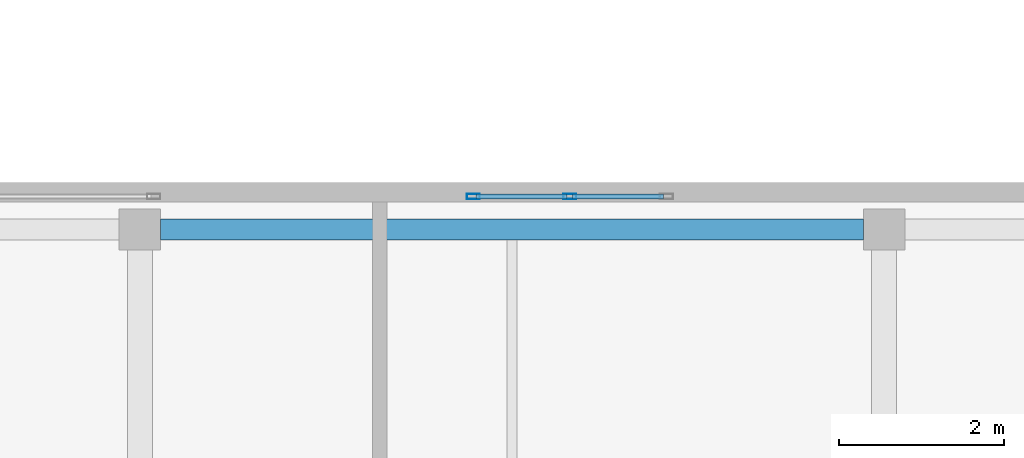
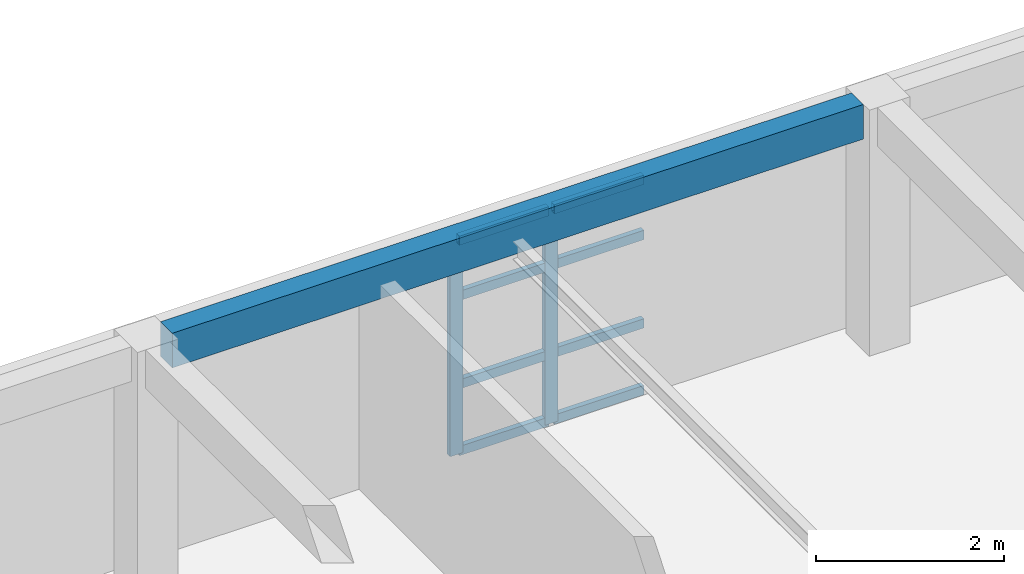
# One storey, part 28 of 89: 10 members, 1 beam, 1 element without a shape of its own.
"""IFC4 building model written with IfcOpenShell, lengths in metres."""

import ifcopenshell
import ifcopenshell.guid

model = None  # the IFC model being written
_history = None  # IfcOwnerHistory: only IFC2X3 demands one
_inside = {}  # id of a spatial element -> (the spatial element, [elements in it])
_under = {}  # id of a project, library or spatial element -> (it, [spatial elements below it])
_declared = {}  # id of a project -> (the project, [libraries it declares])
_typed = {}  # id of a type object -> (the type object, [elements of that type])
_made_of = {}  # id of a material, layer set ... -> (it, [elements and type objects made of it])


def new_model(schema):
    """Start an empty IFC model of exactly this schema.

    Asked for "IFC4X3", IfcOpenShell would pick the latest addendum, in which some entities
    have other attributes; the version numbers below select the first issue.
    IFC2X3 requires an IfcOwnerHistory on every rooted entity: one is made here for all.
    """
    global model, _history
    if schema == "IFC4X3":
        model = ifcopenshell.file(schema_version=(4, 3, 0, 0))
    else:
        model = ifcopenshell.file(schema=schema)
    _inside.clear()
    _under.clear()
    _declared.clear()
    _typed.clear()
    _made_of.clear()
    _history = None
    if model.schema == "IFC2X3":
        org = make("IfcOrganization", Name="unknown")
        user = make(
            "IfcPersonAndOrganization",
            ThePerson=make("IfcPerson", FamilyName="unknown"),
            TheOrganization=org,
        )
        app = make(
            "IfcApplication",
            ApplicationDeveloper=org,
            Version="unknown",
            ApplicationFullName="unknown",
            ApplicationIdentifier="unknown",
        )
        _history = make(
            "IfcOwnerHistory",
            OwningUser=user,
            OwningApplication=app,
            ChangeAction="ADDED",
            CreationDate=0,
        )
    return model


def make(cls, **values):
    """One entity of the class cls with the attributes given. An attribute that is None is left unset."""
    return model.create_entity(
        cls, **{name: value for name, value in values.items() if value is not None}
    )


def rooted(cls, **values):
    """An entity with a GlobalId (a new one), such as an element, a storey or a relation."""
    return make(cls, GlobalId=ifcopenshell.guid.new(), OwnerHistory=_history, **values)


def si_unit(unit_type, name, prefix=None):
    """IfcSIUnit, for example si_unit("LENGTHUNIT", "METRE", prefix="MILLI")."""
    return make("IfcSIUnit", UnitType=unit_type, Prefix=prefix, Name=name)


def assignment(units):
    """IfcUnitAssignment: the units of a project."""
    return None if units is None else make("IfcUnitAssignment", Units=units)


def point(xyz):
    """IfcCartesianPoint."""
    return None if xyz is None else make("IfcCartesianPoint", Coordinates=xyz)


def direction(xyz):
    """IfcDirection."""
    return None if xyz is None else make("IfcDirection", DirectionRatios=xyz)


def frame(location, z_axis=None, x_axis=None):
    """IfcAxis2Placement3D, a coordinate frame: its origin and axes. An axis left out is left unset."""
    return make(
        "IfcAxis2Placement3D",
        Location=point(location),
        Axis=direction(z_axis),
        RefDirection=direction(x_axis),
    )


def frame_2d(location, x_axis=None):
    """IfcAxis2Placement2D, a coordinate frame in the plane: its origin and x axis."""
    return make(
        "IfcAxis2Placement2D", Location=point(location), RefDirection=direction(x_axis)
    )


def origin():
    """The frame at (0, 0, 0) with its axes left unset."""
    return frame((0.0, 0.0, 0.0))


def origin_2d():
    """The frame at (0, 0) in the plane with its x axis left unset."""
    return frame_2d((0.0, 0.0))


def place(relative_to, where):
    """IfcLocalPlacement: puts the frame where relative to a parent placement (None: the world)."""
    return make(
        "IfcLocalPlacement", PlacementRelTo=relative_to, RelativePlacement=where
    )


def context(
    kind, dimensions, precision=None, world=None, true_north=None, identifier=None
):
    """IfcGeometricRepresentationContext, for example the 3D "Model" context."""
    return make(
        "IfcGeometricRepresentationContext",
        ContextIdentifier=identifier,
        ContextType=kind,
        CoordinateSpaceDimension=dimensions,
        Precision=precision,
        WorldCoordinateSystem=world,
        TrueNorth=true_north,
    )


def subcontext(parent, identifier, kind, view, scale=None):
    """IfcGeometricRepresentationSubContext, for example "Body" below "Model"."""
    return make(
        "IfcGeometricRepresentationSubContext",
        ContextIdentifier=identifier,
        ContextType=kind,
        ParentContext=parent,
        TargetScale=scale,
        TargetView=view,
    )


def project(units=None, contexts=None):
    """IfcProject with its units and contexts."""
    return rooted(
        "IfcProject",
        Name="project",
        RepresentationContexts=contexts,
        UnitsInContext=assignment(units),
    )


def spatial(cls, under=None, at=None, **own):
    """A site, building, storey or space (cls), placed at a placement, below another one or the project."""
    s = rooted(cls, ObjectPlacement=at, **own)
    if under is not None:
        _under.setdefault(under.id(), (under, []))[1].append(s)
    return s


def profile(cls, at=None, kind="AREA", **sizes):
    """A parametric profile (cls). Its sizes go by their IFC names, for example OverallWidth=200.0."""
    return make(cls, ProfileType=kind, Position=at, **sizes)


def rectangle(**sizes):
    """IfcRectangleProfileDef."""
    return profile("IfcRectangleProfileDef", **sizes)


def hollow_rectangle(**sizes):
    """IfcRectangleHollowProfileDef."""
    return profile("IfcRectangleHollowProfileDef", **sizes)


def extrude(swept, where, along, depth):
    """IfcExtrudedAreaSolid: the profile swept, set in the frame where, extruded along a direction by depth."""
    return make(
        "IfcExtrudedAreaSolid",
        SweptArea=swept,
        Position=where,
        ExtrudedDirection=direction(along),
        Depth=depth,
    )


def shape(context_of_items, identifier, shape_type, items):
    """IfcShapeRepresentation: the items that make up one representation, for example the "Body"."""
    return make(
        "IfcShapeRepresentation",
        ContextOfItems=context_of_items,
        RepresentationIdentifier=identifier,
        RepresentationType=shape_type,
        Items=items,
    )


def material(Name=None, Category=None):
    """IfcMaterial."""
    return make("IfcMaterial", Name=Name, Category=Category)


def layer(
    of_material, thickness, ventilated=None, Name=None, Category=None, Priority=None
):
    """IfcMaterialLayer: one layer of a wall or slab, of a material (None: an air gap)."""
    return make(
        "IfcMaterialLayer",
        Material=of_material,
        LayerThickness=thickness,
        IsVentilated=ventilated,
        Name=Name,
        Category=Category,
        Priority=Priority,
    )


def layer_set(layers, Name=None):
    """IfcMaterialLayerSet."""
    return make("IfcMaterialLayerSet", MaterialLayers=layers, LayerSetName=Name)


def material_profile(
    of_material, cross_section, Name=None, Category=None, Priority=None
):
    """IfcMaterialProfile: a cross section and its material."""
    return make(
        "IfcMaterialProfile",
        Name=Name,
        Material=of_material,
        Profile=cross_section,
        Priority=Priority,
        Category=Category,
    )


def profile_set(profiles, Name=None, composite=None):
    """IfcMaterialProfileSet."""
    return make(
        "IfcMaterialProfileSet",
        Name=Name,
        MaterialProfiles=profiles,
        CompositeProfile=composite,
    )


def made_of(thing, what):
    """Note that an element or type object is made of a material, layer set ...; save() writes the relation."""
    if what is not None:
        _made_of.setdefault(what.id(), (what, []))[1].append(thing)
    return thing


def type_object(cls, material=None, **own):
    """A type object (cls), such as IfcWallType, which elements share."""
    return made_of(rooted(cls, **own), material)


def element(
    cls,
    number,
    at=None,
    inside=None,
    cuts=None,
    type_object=None,
    material=None,
    context=None,
    identifier="Body",
    shape_type=None,
    held_by="IfcProductDefinitionShape",
    body=None,
    shapes=None,
    **own,
):
    """One element of the class cls, such as IfcWall. Its Tag is "e" and its number.

    at: its placement. inside: the storey or other place that contains it. cuts: it is an
    opening in that element (IfcRelVoidsElement). A single representation is given by context,
    identifier, shape_type and body (its items); several are given by shapes. held_by: the class
    of the entity that holds the representations. save() writes the other relations.
    """
    e = rooted(cls, Tag="e%d" % number, ObjectPlacement=at, **own)
    if body is not None:
        shapes = [shape(context, identifier, shape_type, body)]
    if shapes is not None:
        e.Representation = make(held_by, Representations=shapes)
    if inside is not None:
        _inside.setdefault(inside.id(), (inside, []))[1].append(e)
    if cuts is not None:
        rooted(
            "IfcRelVoidsElement", RelatingBuildingElement=cuts, RelatedOpeningElement=e
        )
    if type_object is not None:
        _typed.setdefault(type_object.id(), (type_object, []))[1].append(e)
    return made_of(e, material)


def aggregate(whole, parts):
    """IfcRelAggregates: a whole, such as a stair, and the parts it consists of."""
    return rooted("IfcRelAggregates", RelatingObject=whole, RelatedObjects=parts)


def save(model, path):
    """Write the relations noted so far, then the file.

    IfcRelAggregates (storeys below a building ...), IfcRelContainedInSpatialStructure (elements
    in a storey), IfcRelDefinesByType, IfcRelAssociatesMaterial and IfcRelDeclares: one each for
    every whole, place, type object, material and project.
    """
    for whole, parts in _under.values():
        aggregate(whole, parts)
    for where, things in _inside.values():
        rooted(
            "IfcRelContainedInSpatialStructure",
            RelatedElements=things,
            RelatingStructure=where,
        )
    for kind, things in _typed.values():
        rooted("IfcRelDefinesByType", RelatedObjects=things, RelatingType=kind)
    for what, things in _made_of.values():
        rooted("IfcRelAssociatesMaterial", RelatedObjects=things, RelatingMaterial=what)
    for by, libraries in _declared.values():
        rooted("IfcRelDeclares", RelatingContext=by, RelatedDefinitions=libraries)
    model.write(path)


model = new_model("IFC4")

# Units and contexts
model_context = context("Model", 3, precision=1e-05, world=origin(), true_north=direction((0.0, 1.0)))
body_context = subcontext(model_context, "Body", "Model", "MODEL_VIEW")
ifc_project = project(units=[si_unit("LENGTHUNIT", "METRE"), si_unit("AREAUNIT", "SQUARE_METRE"), si_unit("VOLUMEUNIT", "CUBIC_METRE"), si_unit("PLANEANGLEUNIT", "RADIAN"), si_unit("MASSUNIT", "GRAM", prefix="KILO")], contexts=[model_context])

# Site, building, storey
site_placement = place(None, origin())
site = spatial("IfcSite", under=ifc_project, at=site_placement, CompositionType="ELEMENT")
building_placement = place(site_placement, origin())
building = spatial("IfcBuilding", under=site, at=building_placement, Name="Keldmere Railside Commons", CompositionType="ELEMENT")
storey_placement = place(building_placement, frame((0.0, 0.0, 7.360107421875)))
storey = spatial("IfcBuildingStorey", under=building, at=storey_placement, Name="L02", CompositionType="ELEMENT", Elevation=7.360107421875)

# Beam
ifc_material_1 = material(Name="Architectural Precast Concrete H-35 (C35/45)", Category="concrete")
ifc_material_profile_1 = material_profile(ifc_material_1, rectangle(XDim=0.25, YDim=0.449951171875, at=origin_2d()), Name="RC-250x450")
ifc_profile_set_1 = profile_set([ifc_material_profile_1], Name="Architectural Precast Concrete H-35 (C35/45)")
beam_type = type_object("IfcBeamType", Name="Perimeter Precast Spandrel Beam 250x450", PredefinedType="SPANDREL", material=ifc_profile_set_1)
beam_placement = place(storey_placement, frame((159.25, 39.550048828125, 2.974853515625), z_axis=(1.0, 0.0, 0.0), x_axis=(0.0, 1.0, 0.0)))
element("IfcBeam", 1, at=beam_placement, inside=storey, type_object=beam_type, Name="SPB-1 BM-L02-1066", PredefinedType="SPANDREL", context=body_context, shape_type="SweptSolid", body=[
    extrude(rectangle(XDim=0.25, YDim=0.449951171875, at=origin_2d()), origin(), (0.0, 0.0, 1.0), 8.5),
])

# Curtain wall, members
ifc_material_2 = material(Name="Thermally Broken Aluminium", Category="aluminium")
ifc_layer = layer(ifc_material_2, 0.159912109375, Name="Stair Tower Daylit Strip CW 2400x2850")
ifc_layer_set = layer_set([ifc_layer], Name="Thermally Broken Aluminium")
curtain_wall_type = type_object("IfcCurtainWallType", Name="Stair Tower Daylit Strip CW 2400x2850", PredefinedType="NOTDEFINED", material=ifc_layer_set)
curtain_wall_placement = place(storey_placement, origin())
curtain_wall = element("IfcCurtainWall", 2, at=curtain_wall_placement, inside=storey, type_object=curtain_wall_type, Name="CW-18 CW-L02-228", PredefinedType="NOTDEFINED")
ifc_material_profile_2 = material_profile(ifc_material_2, hollow_rectangle(XDim=0.06494140625, YDim=0.159912109375, WallThickness=0.00390625, at=origin_2d()), Name="ALU-MULL-65x160")
ifc_profile_set_2 = profile_set([ifc_material_profile_2], Name="Thermally Broken Aluminium")
member_type_1 = type_object("IfcMemberType", Name="Unitised Curtain Wall Mullion 65x160", PredefinedType="MULLION", material=ifc_profile_set_2)
member_1_placement = place(storey_placement, frame((163.032470703125, 39.949951171875, 0.0), z_axis=(0.0, 0.0, 1.0), x_axis=(0.0, 1.0, 0.0)))
member_1 = element("IfcMember", 3, at=member_1_placement, type_object=member_type_1, Name="CW-18 mullion 1", PredefinedType="MULLION", context=body_context, shape_type="SweptSolid", body=[
    extrude(hollow_rectangle(XDim=0.06494140625, YDim=0.159912109375, WallThickness=0.00390625, at=origin_2d()), origin(), (0.0, 0.0, 1.0), 2.7998046875),
])
member_2_placement = place(storey_placement, frame((164.199951171875, 39.949951171875, 0.0), z_axis=(0.0, 0.0, 1.0), x_axis=(0.0, 1.0, 0.0)))
member_2 = element("IfcMember", 4, at=member_2_placement, type_object=member_type_1, Name="CW-18 mullion 2", PredefinedType="MULLION", context=body_context, shape_type="SweptSolid", body=[
    extrude(hollow_rectangle(XDim=0.06494140625, YDim=0.159912109375, WallThickness=0.00390625, at=origin_2d()), origin(), (0.0, 0.0, 1.0), 2.7998046875),
])
ifc_material_profile_3 = material_profile(ifc_material_2, hollow_rectangle(XDim=0.06494140625, YDim=0.1201171875, WallThickness=0.00390625, at=origin_2d()), Name="ALU-TRAN-65x120")
ifc_profile_set_3 = profile_set([ifc_material_profile_3], Name="Thermally Broken Aluminium")
member_type_2 = type_object("IfcMemberType", Name="Unitised Curtain Wall Transom 65x120", PredefinedType="USERDEFINED", material=ifc_profile_set_3)
member_3_placement = place(storey_placement, frame((163.06494140625, 39.949951171875, 0.032470703125), z_axis=(1.0, 0.0, 0.0), x_axis=(0.0, 1.0, 0.0)))
member_3 = element("IfcMember", 5, at=member_3_placement, type_object=member_type_2, Name="CW-18 transom 1.1", ObjectType="TRANSOM", PredefinedType="USERDEFINED", context=body_context, shape_type="SweptSolid", body=[
    extrude(hollow_rectangle(XDim=0.06494140625, YDim=0.1201171875, WallThickness=0.00390625, at=origin_2d()), origin(), (0.0, 0.0, 1.0), 1.1025390625),
])
member_4_placement = place(storey_placement, frame((163.06494140625, 39.949951171875, 0.89990234375), z_axis=(1.0, 0.0, 0.0), x_axis=(0.0, 1.0, 0.0)))
member_4 = element("IfcMember", 6, at=member_4_placement, type_object=member_type_2, Name="CW-18 transom 1.2", ObjectType="TRANSOM", PredefinedType="USERDEFINED", context=body_context, shape_type="SweptSolid", body=[
    extrude(hollow_rectangle(XDim=0.06494140625, YDim=0.1201171875, WallThickness=0.00390625, at=origin_2d()), origin(), (0.0, 0.0, 1.0), 1.1025390625),
])
member_5_placement = place(storey_placement, frame((163.06494140625, 39.949951171875, 2.0498046875), z_axis=(1.0, 0.0, 0.0), x_axis=(0.0, 1.0, 0.0)))
member_5 = element("IfcMember", 7, at=member_5_placement, type_object=member_type_2, Name="CW-18 transom 1.3", ObjectType="TRANSOM", PredefinedType="USERDEFINED", context=body_context, shape_type="SweptSolid", body=[
    extrude(hollow_rectangle(XDim=0.06494140625, YDim=0.1201171875, WallThickness=0.00390625, at=origin_2d()), origin(), (0.0, 0.0, 1.0), 1.1025390625),
])
member_6_placement = place(storey_placement, frame((163.06494140625, 39.949951171875, 2.767333984375), z_axis=(1.0, 0.0, 0.0), x_axis=(0.0, 1.0, 0.0)))
member_6 = element("IfcMember", 8, at=member_6_placement, type_object=member_type_2, Name="CW-18 transom 1.4", ObjectType="TRANSOM", PredefinedType="USERDEFINED", context=body_context, shape_type="SweptSolid", body=[
    extrude(hollow_rectangle(XDim=0.06494140625, YDim=0.1201171875, WallThickness=0.00390625, at=origin_2d()), origin(), (0.0, 0.0, 1.0), 1.1025390625),
])
member_7_placement = place(storey_placement, frame((164.232421875, 39.949951171875, 0.032470703125), z_axis=(1.0, 0.0, 0.0), x_axis=(0.0, 1.0, 0.0)))
member_7 = element("IfcMember", 9, at=member_7_placement, type_object=member_type_2, Name="CW-18 transom 2.1", ObjectType="TRANSOM", PredefinedType="USERDEFINED", context=body_context, shape_type="SweptSolid", body=[
    extrude(hollow_rectangle(XDim=0.06494140625, YDim=0.1201171875, WallThickness=0.00390625, at=origin_2d()), origin(), (0.0, 0.0, 1.0), 1.1025390625),
])
member_8_placement = place(storey_placement, frame((164.232421875, 39.949951171875, 0.89990234375), z_axis=(1.0, 0.0, 0.0), x_axis=(0.0, 1.0, 0.0)))
member_8 = element("IfcMember", 10, at=member_8_placement, type_object=member_type_2, Name="CW-18 transom 2.2", ObjectType="TRANSOM", PredefinedType="USERDEFINED", context=body_context, shape_type="SweptSolid", body=[
    extrude(hollow_rectangle(XDim=0.06494140625, YDim=0.1201171875, WallThickness=0.00390625, at=origin_2d()), origin(), (0.0, 0.0, 1.0), 1.1025390625),
])
member_9_placement = place(storey_placement, frame((164.232421875, 39.949951171875, 2.0498046875), z_axis=(1.0, 0.0, 0.0), x_axis=(0.0, 1.0, 0.0)))
member_9 = element("IfcMember", 11, at=member_9_placement, type_object=member_type_2, Name="CW-18 transom 2.3", ObjectType="TRANSOM", PredefinedType="USERDEFINED", context=body_context, shape_type="SweptSolid", body=[
    extrude(hollow_rectangle(XDim=0.06494140625, YDim=0.1201171875, WallThickness=0.00390625, at=origin_2d()), origin(), (0.0, 0.0, 1.0), 1.1025390625),
])
member_10_placement = place(storey_placement, frame((164.232421875, 39.949951171875, 2.767333984375), z_axis=(1.0, 0.0, 0.0), x_axis=(0.0, 1.0, 0.0)))
member_10 = element("IfcMember", 12, at=member_10_placement, type_object=member_type_2, Name="CW-18 transom 2.4", ObjectType="TRANSOM", PredefinedType="USERDEFINED", context=body_context, shape_type="SweptSolid", body=[
    extrude(hollow_rectangle(XDim=0.06494140625, YDim=0.1201171875, WallThickness=0.00390625, at=origin_2d()), origin(), (0.0, 0.0, 1.0), 1.1025390625),
])
aggregate(curtain_wall, [member_1, member_2, member_3, member_4, member_5, member_6, member_7, member_8, member_9, member_10])

save(model, "model.ifc")
